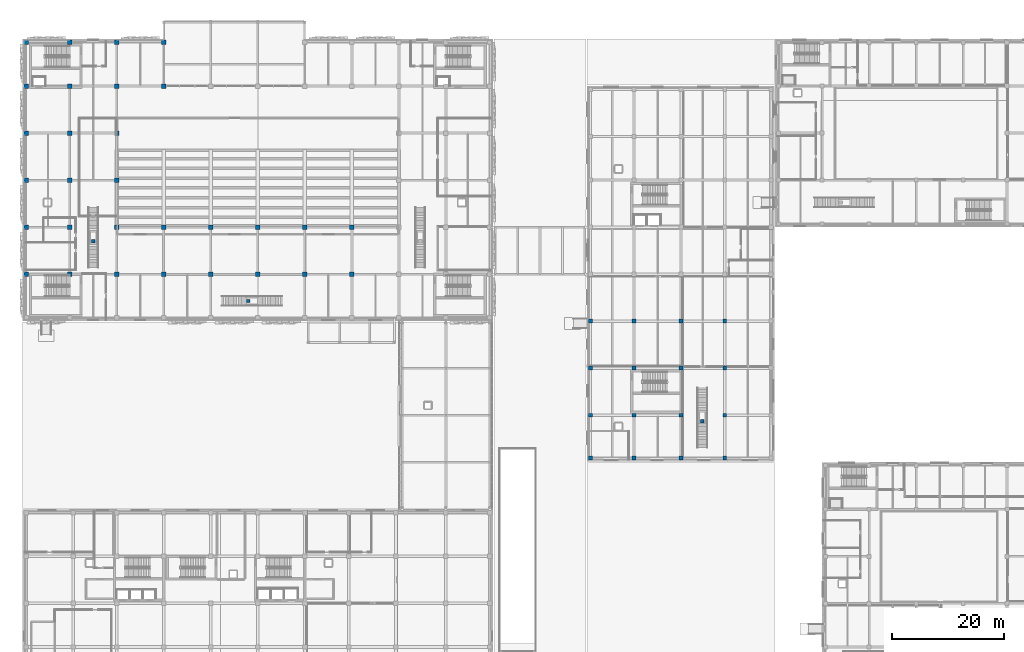
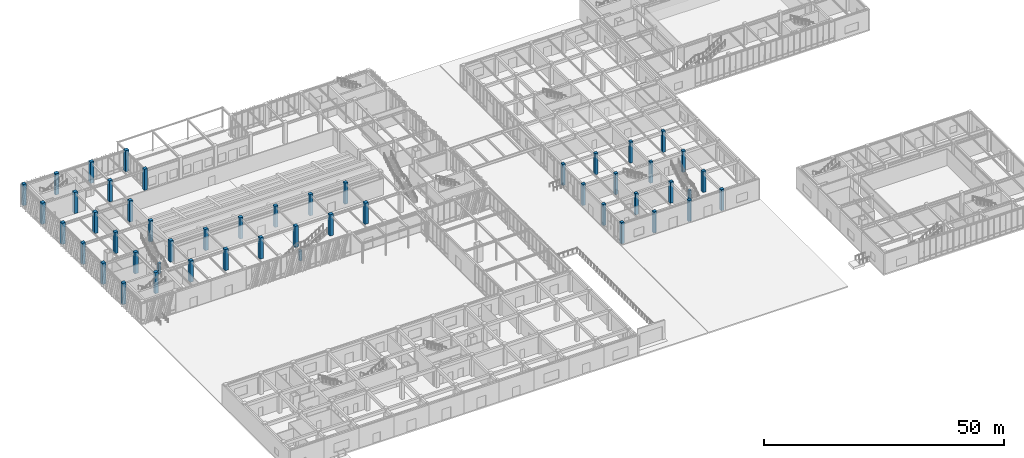
# One storey, part 5 of 122: 49 columns.
"""IFC4 building model written with IfcOpenShell, lengths in metres."""

from ifc_helpers import new_model, si_unit, direction, frame, origin, origin_2d, place, context, subcontext, project, spatial, rectangle, extrude, material, material_profile, profile_set, type_object, element, save


model = new_model("IFC4")

# Units and contexts
model_context = context("Model", 3, precision=1e-05, world=origin(), true_north=direction((0.0, 1.0)))
body_context = subcontext(model_context, "Body", "Model", "MODEL_VIEW")
ifc_project = project(units=[si_unit("LENGTHUNIT", "METRE"), si_unit("AREAUNIT", "SQUARE_METRE"), si_unit("VOLUMEUNIT", "CUBIC_METRE"), si_unit("PLANEANGLEUNIT", "RADIAN"), si_unit("MASSUNIT", "GRAM", prefix="KILO")], contexts=[model_context])

# Site, building, storey
site_placement = place(None, origin())
site = spatial("IfcSite", under=ifc_project, at=site_placement, CompositionType="ELEMENT")
building_placement = place(site_placement, origin())
building = spatial("IfcBuilding", under=site, at=building_placement, Name="Zayran Congress Hotel", CompositionType="ELEMENT")
storey_placement = place(building_placement, origin())
storey = spatial("IfcBuildingStorey", under=building, at=storey_placement, Name="L00", CompositionType="ELEMENT", Elevation=0.0)

# Columns
ifc_material = material(Name="Concrete C40/50", Category="concrete")
ifc_material_profile_1 = material_profile(ifc_material, rectangle(XDim=0.800048828125, YDim=0.800048828125, at=origin_2d()), Name="RC 800x800")
ifc_profile_set_1 = profile_set([ifc_material_profile_1], Name="Concrete C40/50")
column_type_1 = type_object("IfcColumnType", Name="TP-CL-02", PredefinedType="COLUMN", material=ifc_profile_set_1)
for number, where, z_axis, x_axis, name in (
    (1, (9.0, 76.0, 0.0), (0.0, 0.0, 1.0), (1.0, 0.0, 0.0), "COL-V1-L00-0254"),
    (2, (9.0, 84.39990234375, 0.0), (0.0, 0.0, 1.0), (1.0, 0.0, 0.0), "COL-V1-L00-0255"),
    (3, (9.0, 92.800048828125, 0.0), (0.0, 0.0, 1.0), (1.0, 0.0, 0.0), "COL-V1-L00-0256"),
    (4, (9.0, 101.199951171875, 0.0), (0.0, 0.0, 1.0), (1.0, 0.0, 0.0), "COL-V1-L00-0257"),
    (5, (9.0, 109.60009765625, 0.0), (0.0, 0.0, 1.0), (1.0, 0.0, 0.0), "COL-V1-L00-0258"),
    (6, (9.0, 117.39990234375, 0.0), (0.0, 0.0, 1.0), (1.0, 0.0, 0.0), "COL-V1-L00-0259"),
    (7, (16.800048828125, 76.0, 0.0), (0.0, 0.0, 1.0), (1.0, 0.0, 0.0), "COL-V1-L00-0261"),
    (8, (16.800048828125, 84.39990234375, 0.0), (0.0, 0.0, 1.0), (1.0, 0.0, 0.0), "COL-V1-L00-0262"),
    (9, (16.800048828125, 92.800048828125, 0.0), (0.0, 0.0, 1.0), (1.0, 0.0, 0.0), "COL-V1-L00-0263"),
    (10, (16.800048828125, 101.199951171875, 0.0), (0.0, 0.0, 1.0), (1.0, 0.0, 0.0), "COL-V1-L00-0264"),
    (11, (16.800048828125, 109.60009765625, 0.0), (0.0, 0.0, 1.0), (1.0, 0.0, 0.0), "COL-V1-L00-0265"),
    (12, (16.800048828125, 117.39990234375, 0.0), (0.0, 0.0, 1.0), (1.0, 0.0, 0.0), "COL-V1-L00-0266"),
    (13, (25.199951171875, 76.0, 0.0), (0.0, 0.0, 1.0), (1.0, 0.0, 0.0), "COL-V1-L00-0268"),
    (14, (25.199951171875, 84.39990234375, 0.0), (0.0, 0.0, 1.0), (1.0, 0.0, 0.0), "COL-V1-L00-0269"),
    (15, (25.199951171875, 92.800048828125, 0.0), (0.0, 0.0, 1.0), (1.0, 0.0, 0.0), "COL-V1-L00-0270"),
    (16, (25.199951171875, 101.199951171875, 0.0), (0.0, 0.0, 1.0), (1.0, 0.0, 0.0), "COL-V1-L00-0271"),
    (17, (25.199951171875, 109.60009765625, 0.0), (0.0, 0.0, 1.0), (1.0, 0.0, 0.0), "COL-V1-L00-0272"),
    (18, (25.199951171875, 117.39990234375, 0.0), (0.0, 0.0, 1.0), (1.0, 0.0, 0.0), "COL-V1-L00-0273"),
    (19, (33.60009765625, 76.0, 0.0), (0.0, 0.0, 1.0), (1.0, 0.0, 0.0), "COL-V1-L00-0275"),
    (20, (33.60009765625, 84.39990234375, 0.0), (0.0, 0.0, 1.0), (1.0, 0.0, 0.0), "COL-V1-L00-0276"),
    (21, (33.60009765625, 109.60009765625, 0.0), (0.0, 0.0, 1.0), (1.0, 0.0, 0.0), "COL-V1-L00-0277"),
    (22, (33.60009765625, 117.39990234375, 0.0), (0.0, 0.0, 1.0), (1.0, 0.0, 0.0), "COL-V1-L00-0278"),
    (23, (42.0, 76.0, 0.0), (0.0, 0.0, 1.0), (1.0, 0.0, 0.0), "COL-V1-L00-0280"),
    (24, (42.0, 84.39990234375, 0.0), (0.0, 0.0, 1.0), (1.0, 0.0, 0.0), "COL-V1-L00-0281"),
    (25, (50.39990234375, 76.0, 0.0), (0.0, 0.0, 1.0), (1.0, 0.0, 0.0), "COL-V1-L00-0285"),
    (26, (50.39990234375, 84.39990234375, 0.0), (0.0, 0.0, 1.0), (1.0, 0.0, 0.0), "COL-V1-L00-0286"),
    (27, (58.800048828125, 76.0, 0.0), (0.0, 0.0, 1.0), (1.0, 0.0, 0.0), "COL-V1-L00-0290"),
    (28, (58.800048828125, 84.39990234375, 0.0), (0.0, 0.0, 1.0), (1.0, 0.0, 0.0), "COL-V1-L00-0291"),
    (29, (67.199951171875, 76.0, 0.0), (0.0, 0.0, 1.0), (1.0, 0.0, 0.0), "COL-V1-L00-0295"),
    (30, (67.199951171875, 84.39990234375, 0.0), (0.0, 0.0, 1.0), (1.0, 0.0, 0.0), "COL-V1-L00-0296"),
):
    element("IfcColumn", number, at=place(storey_placement, frame(where, z_axis=z_axis, x_axis=x_axis)), inside=storey, type_object=column_type_1, Name=name, PredefinedType="COLUMN", context=body_context, shape_type="SweptSolid", body=[
        extrude(rectangle(XDim=0.800048828125, YDim=0.800048828125, at=origin_2d()), origin(), (0.0, 0.0, 1.0), 5.39990234375),
    ])
ifc_material_profile_2 = material_profile(ifc_material, rectangle(XDim=0.699951171875, YDim=0.699951171875, at=origin_2d()), Name="RC 700x700")
ifc_profile_set_2 = profile_set([ifc_material_profile_2], Name="Concrete C40/50")
column_type_2 = type_object("IfcColumnType", Name="TP-CL-03", PredefinedType="COLUMN", material=ifc_profile_set_2)
for number, where, z_axis, x_axis, name in (
    (31, (109.800048828125, 43.14990234375, 0.0), (0.0, 0.0, 1.0), (1.0, 0.0, 0.0), "COL-V4-L00-0703"),
    (32, (109.800048828125, 50.800048828125, 0.0), (0.0, 0.0, 1.0), (1.0, 0.0, 0.0), "COL-V4-L00-0704"),
    (33, (109.800048828125, 59.199951171875, 0.0), (0.0, 0.0, 1.0), (1.0, 0.0, 0.0), "COL-V4-L00-0705"),
    (34, (109.800048828125, 67.60009765625, 0.0), (0.0, 0.0, 1.0), (1.0, 0.0, 0.0), "COL-V4-L00-0706"),
    (35, (117.60009765625, 43.14990234375, 0.0), (0.0, 0.0, 1.0), (1.0, 0.0, 0.0), "COL-V4-L00-0712"),
    (36, (117.60009765625, 50.800048828125, 0.0), (0.0, 0.0, 1.0), (1.0, 0.0, 0.0), "COL-V4-L00-0713"),
    (37, (117.60009765625, 59.199951171875, 0.0), (0.0, 0.0, 1.0), (1.0, 0.0, 0.0), "COL-V4-L00-0714"),
    (38, (117.60009765625, 67.60009765625, 0.0), (0.0, 0.0, 1.0), (1.0, 0.0, 0.0), "COL-V4-L00-0715"),
    (39, (126.0, 43.14990234375, 0.0), (0.0, 0.0, 1.0), (1.0, 0.0, 0.0), "COL-V4-L00-0721"),
    (40, (126.0, 50.800048828125, 0.0), (0.0, 0.0, 1.0), (1.0, 0.0, 0.0), "COL-V4-L00-0722"),
    (41, (126.0, 59.199951171875, 0.0), (0.0, 0.0, 1.0), (1.0, 0.0, 0.0), "COL-V4-L00-0723"),
    (42, (126.0, 67.60009765625, 0.0), (0.0, 0.0, 1.0), (1.0, 0.0, 0.0), "COL-V4-L00-0724"),
    (43, (133.800048828125, 43.14990234375, 0.0), (0.0, 0.0, 1.0), (1.0, 0.0, 0.0), "COL-V4-L00-0730"),
    (44, (133.800048828125, 50.800048828125, 0.0), (0.0, 0.0, 1.0), (1.0, 0.0, 0.0), "COL-V4-L00-0731"),
    (45, (133.800048828125, 59.199951171875, 0.0), (0.0, 0.0, 1.0), (1.0, 0.0, 0.0), "COL-V4-L00-0732"),
    (46, (133.800048828125, 67.60009765625, 0.0), (0.0, 0.0, 1.0), (1.0, 0.0, 0.0), "COL-V4-L00-0733"),
):
    element("IfcColumn", number, at=place(storey_placement, frame(where, z_axis=z_axis, x_axis=x_axis)), inside=storey, type_object=column_type_2, Name=name, PredefinedType="COLUMN", context=body_context, shape_type="SweptSolid", body=[
        extrude(rectangle(XDim=0.699951171875, YDim=0.699951171875, at=origin_2d()), origin(), (0.0, 0.0, 1.0), 5.39990234375),
    ])
ifc_material_profile_3 = material_profile(ifc_material, rectangle(XDim=0.60009765625, YDim=0.60009765625, at=origin_2d()), Name="RC 600x600")
ifc_profile_set_3 = profile_set([ifc_material_profile_3], Name="Concrete C40/50")
column_type_3 = type_object("IfcColumnType", Name="TP-CL-04", PredefinedType="COLUMN", material=ifc_profile_set_3)
for number, where, z_axis, x_axis, name in (
    (47, (21.0, 81.89990234375, 0.0), (0.0, 0.0, 1.0), (1.0, 0.0, 0.0), "COL-VOM-L00-01"),
    (48, (48.699951171875, 71.199951171875, 0.0), (0.0, 0.0, 1.0), (1.0, 0.0, 0.0), "COL-VOM-L00-03"),
    (49, (129.800048828125, 49.699951171875, 0.0), (0.0, 0.0, 1.0), (1.0, 0.0, 0.0), "COL-VOM-L00-06"),
):
    element("IfcColumn", number, at=place(storey_placement, frame(where, z_axis=z_axis, x_axis=x_axis)), inside=storey, type_object=column_type_3, Name=name, PredefinedType="COLUMN", context=body_context, shape_type="SweptSolid", body=[
        extrude(rectangle(XDim=0.60009765625, YDim=0.60009765625, at=origin_2d()), origin(), (0.0, 0.0, 1.0), 2.5),
    ])

save(model, "model.ifc")
